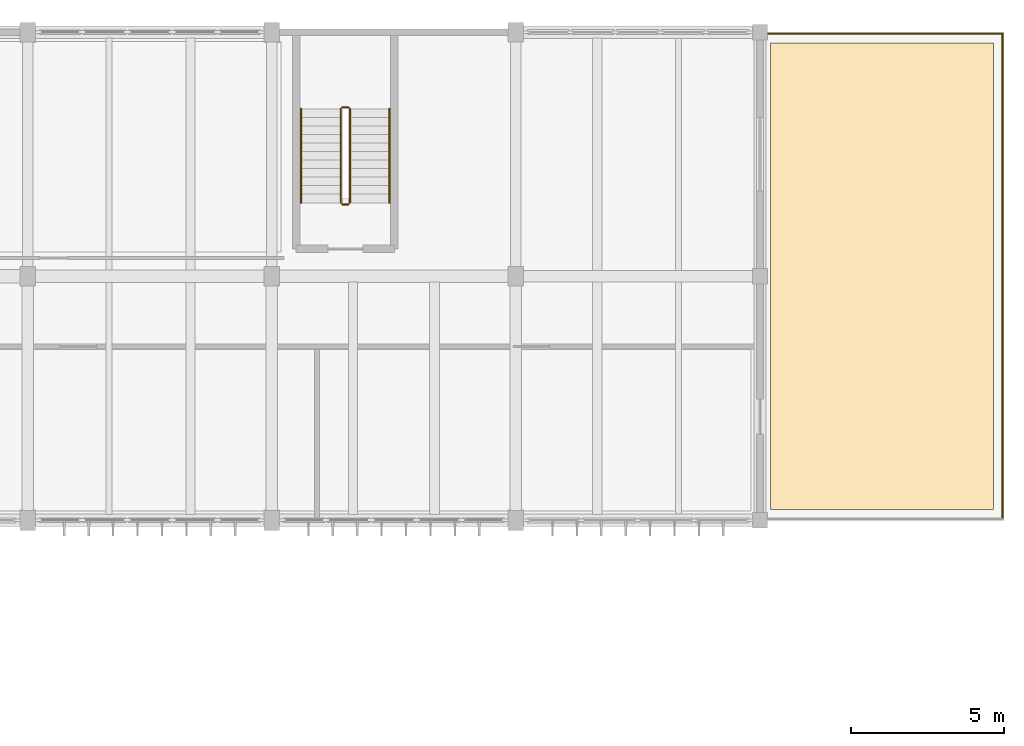
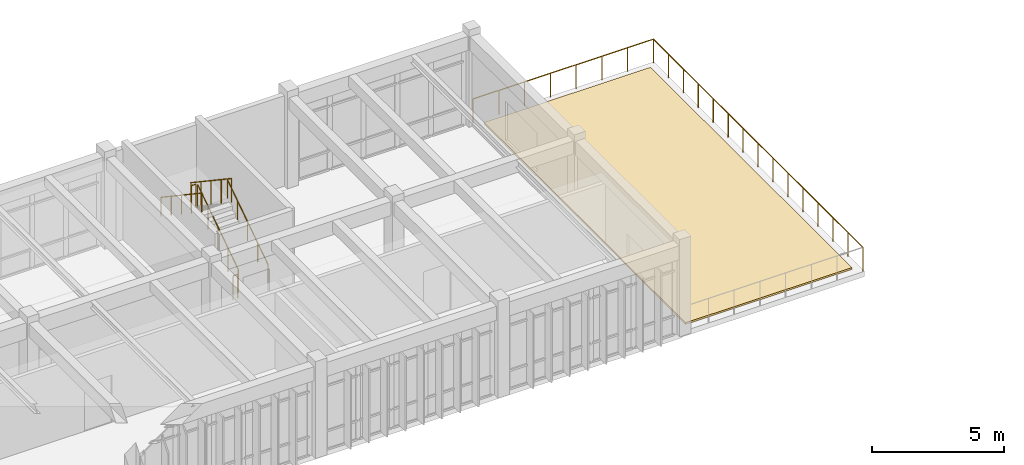
# One storey, part 72 of 72: 8 railings, 1 covering.
"""IFC4 building model written with IfcOpenShell, lengths in metres."""

from ifc_helpers import new_model, si_unit, direction, frame, origin, origin_2d, place, context, subcontext, project, spatial, polyline, circle, outline, extrude, material, layer, layer_set, type_object, element, save


model = new_model("IFC4")

# Units and contexts
model_context = context("Model", 3, precision=1e-05, world=origin(), true_north=direction((0.0, 1.0)))
body_context = subcontext(model_context, "Body", "Model", "MODEL_VIEW")
ifc_project = project(units=[si_unit("LENGTHUNIT", "METRE"), si_unit("AREAUNIT", "SQUARE_METRE"), si_unit("VOLUMEUNIT", "CUBIC_METRE"), si_unit("PLANEANGLEUNIT", "RADIAN"), si_unit("MASSUNIT", "GRAM", prefix="KILO")], contexts=[model_context])

# Site, building, storey
site_placement = place(None, origin())
site = spatial("IfcSite", under=ifc_project, at=site_placement, CompositionType="ELEMENT")
building_placement = place(site_placement, origin())
building = spatial("IfcBuilding", under=site, at=building_placement, Name="Tlaxcora Railside Police Headquarters", CompositionType="ELEMENT")
storey_placement = place(building_placement, frame((0.0, 0.0, 13.5)))
storey = spatial("IfcBuildingStorey", under=building, at=storey_placement, Name="L03", CompositionType="ELEMENT", Elevation=13.5)

# Covering
ifc_material_1 = material(Name="Modified EPDM waterproofing and volcanic-ash protection membrane")
ifc_layer = layer(ifc_material_1, 0.080078125, Name="Modified EPDM waterproofing and volcanic-ash protection membrane")
ifc_layer_set = layer_set([ifc_layer], Name="Modified EPDM waterproofing and volcanic-ash protection membrane")
covering_type = type_object("IfcCoveringType", Name="Planted Roof Garden Waterproofing RF-01", PredefinedType="ROOFING", material=ifc_layer_set)
covering_placement = place(storey_placement, origin())
element("IfcCovering", 1, at=covering_placement, inside=storey, type_object=covering_type, Name="TERR-V6-L03-E planted waterproofing layer", PredefinedType="ROOFING", context=body_context, shape_type="SweptSolid", body=[
    extrude(outline(polyline([(158.449951171875, 77.14990234375), (158.449951171875, 92.449951171875), (151.14990234375, 92.449951171875), (151.14990234375, 77.14990234375), (158.449951171875, 77.14990234375)])), origin(), (0.0, 0.0, 1.0), 0.080078125),
])

# Railings
ifc_material_2 = material(Name="Steel ASTM A992 Grade 50", Category="steel")
railing_type_1 = type_object("IfcRailingType", Name="Stair Well Guard Balustrade GR-02", PredefinedType="BALUSTRADE", material=ifc_material_2)
railing_1_placement = place(storey_placement, frame((137.360107421875, 87.2099609375, 0.1875)))
element("IfcRailing", 2, at=railing_1_placement, inside=storey, type_object=railing_type_1, Name="L03 ST8 stair guard 1", PredefinedType="BALUSTRADE", context=body_context, shape_type="SweptSolid", body=[
    extrude(circle(Radius=0.02392578125, at=origin_2d()), frame((0.0, 0.0, 1.09619140625), z_axis=(0.0, 0.830913701846, 0.55640131208), x_axis=(-1.0, 0.0, 0.0)), (0.0, 0.0, 1.0), 3.706787109375),
    extrude(circle(Radius=0.02099609375, at=origin_2d()), origin(), (0.0, 0.0, 1.0), 1.072021484375),
    extrude(circle(Radius=0.02099609375, at=origin_2d()), frame((0.0, 0.77001953125, 0.515625)), (0.0, 0.0, 1.0), 1.072021484375),
    extrude(circle(Radius=0.02099609375, at=origin_2d()), frame((0.0, 1.5400390625, 1.03125)), (0.0, 0.0, 1.0), 1.072021484375),
    extrude(circle(Radius=0.02099609375, at=origin_2d()), frame((0.0, 2.31005859375, 1.546875)), (0.0, 0.0, 1.0), 1.072021484375),
    extrude(circle(Radius=0.02099609375, at=origin_2d()), frame((0.0, 3.080078125, 2.0625)), (0.0, 0.0, 1.0), 1.072021484375),
])
railing_2_placement = place(storey_placement, frame((137.31005859375, 90.340087890625, 2.25)))
element("IfcRailing", 3, at=railing_2_placement, inside=storey, type_object=railing_type_1, Name="L03 ST8 stair guard 2", PredefinedType="BALUSTRADE", context=body_context, shape_type="SweptSolid", body=[
    extrude(circle(Radius=0.02392578125, at=origin_2d()), frame((0.0, 0.0, 1.09619140625), z_axis=(-1.0, 0.0, 0.0), x_axis=(0.0, -1.0, 0.0)), (0.0, 0.0, 1.0), 0.199951171875),
    extrude(circle(Radius=0.02099609375, at=origin_2d()), origin(), (0.0, 0.0, 1.0), 1.072021484375),
    extrude(circle(Radius=0.02099609375, at=origin_2d()), frame((-0.199951171875, 0.0, 0.0)), (0.0, 0.0, 1.0), 1.072021484375),
])
railing_3_placement = place(storey_placement, frame((137.06005859375, 90.2900390625, 2.4375)))
element("IfcRailing", 4, at=railing_3_placement, inside=storey, type_object=railing_type_1, Name="L03 ST8 stair guard 3", PredefinedType="BALUSTRADE", context=body_context, shape_type="SweptSolid", body=[
    extrude(circle(Radius=0.02392578125, at=origin_2d()), frame((0.0, 0.0, 1.09619140625), z_axis=(0.0, -0.830913701846, 0.55640131208), x_axis=(1.0, 0.0, 0.0)), (0.0, 0.0, 1.0), 3.706787109375),
    extrude(circle(Radius=0.02099609375, at=origin_2d()), origin(), (0.0, 0.0, 1.0), 1.072021484375),
    extrude(circle(Radius=0.02099609375, at=origin_2d()), frame((0.0, -0.77001953125, 0.515625)), (0.0, 0.0, 1.0), 1.072021484375),
    extrude(circle(Radius=0.02099609375, at=origin_2d()), frame((0.0, -1.5400390625, 1.03125)), (0.0, 0.0, 1.0), 1.072021484375),
    extrude(circle(Radius=0.02099609375, at=origin_2d()), frame((0.0, -2.31005859375, 1.546875)), (0.0, 0.0, 1.0), 1.072021484375),
    extrude(circle(Radius=0.02099609375, at=origin_2d()), frame((0.0, -3.080078125, 2.0625)), (0.0, 0.0, 1.0), 1.072021484375),
])
railing_4_placement = place(storey_placement, frame((137.31005859375, 87.159912109375, 0.0)))
element("IfcRailing", 5, at=railing_4_placement, inside=storey, type_object=railing_type_1, Name="L03 ST8 stair guard 4", PredefinedType="BALUSTRADE", context=body_context, shape_type="SweptSolid", body=[
    extrude(circle(Radius=0.02392578125, at=origin_2d()), frame((0.0, 0.0, 1.09619140625), z_axis=(-1.0, 0.0, 0.0), x_axis=(0.0, -1.0, 0.0)), (0.0, 0.0, 1.0), 0.199951171875),
    extrude(circle(Radius=0.02099609375, at=origin_2d()), origin(), (0.0, 0.0, 1.0), 1.072021484375),
    extrude(circle(Radius=0.02099609375, at=origin_2d()), frame((-0.199951171875, 0.0, 0.0)), (0.0, 0.0, 1.0), 1.072021484375),
])
railing_type_2 = type_object("IfcRailingType", Name="Stair and Ramp Handrail HR-01", PredefinedType="HANDRAIL", material=ifc_material_2)
railing_5_placement = place(storey_placement, frame((138.659912109375, 87.2099609375, 0.1875)))
element("IfcRailing", 6, at=railing_5_placement, inside=storey, type_object=railing_type_2, Name="L03 ST8 stair handrail 1", PredefinedType="HANDRAIL", context=body_context, shape_type="SweptSolid", body=[
    extrude(circle(Radius=0.02392578125, at=origin_2d()), frame((0.0, 0.0, 0.8759765625), z_axis=(0.0, 0.830913701846, 0.55640131208), x_axis=(-1.0, 0.0, 0.0)), (0.0, 0.0, 1.0), 3.706787109375),
    extrude(circle(Radius=0.02099609375, at=origin_2d()), origin(), (0.0, 0.0, 1.0), 0.851806640625),
    extrude(circle(Radius=0.02099609375, at=origin_2d()), frame((0.0, 0.77001953125, 0.515625)), (0.0, 0.0, 1.0), 0.851806640625),
    extrude(circle(Radius=0.02099609375, at=origin_2d()), frame((0.0, 1.5400390625, 1.03125)), (0.0, 0.0, 1.0), 0.851806640625),
    extrude(circle(Radius=0.02099609375, at=origin_2d()), frame((0.0, 2.31005859375, 1.546875)), (0.0, 0.0, 1.0), 0.851806640625),
    extrude(circle(Radius=0.02099609375, at=origin_2d()), frame((0.0, 3.080078125, 2.0625)), (0.0, 0.0, 1.0), 0.851806640625),
])
railing_6_placement = place(storey_placement, frame((135.760009765625, 90.2900390625, 2.4375)))
element("IfcRailing", 7, at=railing_6_placement, inside=storey, type_object=railing_type_2, Name="L03 ST8 stair handrail 2", PredefinedType="HANDRAIL", context=body_context, shape_type="SweptSolid", body=[
    extrude(circle(Radius=0.02392578125, at=origin_2d()), frame((0.0, 0.0, 0.8759765625), z_axis=(0.0, -0.830913701846, 0.55640131208), x_axis=(1.0, 0.0, 0.0)), (0.0, 0.0, 1.0), 3.706787109375),
    extrude(circle(Radius=0.02099609375, at=origin_2d()), origin(), (0.0, 0.0, 1.0), 0.851806640625),
    extrude(circle(Radius=0.02099609375, at=origin_2d()), frame((0.0, -0.77001953125, 0.515625)), (0.0, 0.0, 1.0), 0.851806640625),
    extrude(circle(Radius=0.02099609375, at=origin_2d()), frame((0.0, -1.5400390625, 1.03125)), (0.0, 0.0, 1.0), 0.851806640625),
    extrude(circle(Radius=0.02099609375, at=origin_2d()), frame((0.0, -2.31005859375, 1.546875)), (0.0, 0.0, 1.0), 0.851806640625),
    extrude(circle(Radius=0.02099609375, at=origin_2d()), frame((0.0, -3.080078125, 2.0625)), (0.0, 0.0, 1.0), 0.851806640625),
])
railing_type_3 = type_object("IfcRailingType", Name="Terrace Perimeter Guard Balustrade GR-01", PredefinedType="BALUSTRADE", material=ifc_material_2)
railing_7_placement = place(storey_placement, frame((158.75, 76.85009765625, 0.0)))
element("IfcRailing", 8, at=railing_7_placement, inside=storey, type_object=railing_type_3, Name="TERR-V6-L03-E perimeter guard 2", PredefinedType="BALUSTRADE", context=body_context, shape_type="SweptSolid", body=[
    extrude(circle(Radius=0.02392578125, at=origin_2d()), frame((0.0, 0.0, 1.09619140625), z_axis=(0.0, 1.0, 0.0), x_axis=(-1.0, 0.0, 0.0)), (0.0, 0.0, 1.0), 15.89990234375),
    extrude(circle(Radius=0.02099609375, at=origin_2d()), origin(), (0.0, 0.0, 1.0), 1.072021484375),
    extrude(circle(Radius=0.02099609375, at=origin_2d()), frame((0.0, 1.1357421875, 0.0)), (0.0, 0.0, 1.0), 1.072021484375),
    extrude(circle(Radius=0.02099609375, at=origin_2d()), frame((0.0, 2.271484375, 0.0)), (0.0, 0.0, 1.0), 1.072021484375),
    extrude(circle(Radius=0.02099609375, at=origin_2d()), frame((0.0, 3.4072265625, 0.0)), (0.0, 0.0, 1.0), 1.072021484375),
    extrude(circle(Radius=0.02099609375, at=origin_2d()), frame((0.0, 4.542724609375, 0.0)), (0.0, 0.0, 1.0), 1.072021484375),
    extrude(circle(Radius=0.02099609375, at=origin_2d()), frame((0.0, 5.678466796875, 0.0)), (0.0, 0.0, 1.0), 1.072021484375),
    extrude(circle(Radius=0.02099609375, at=origin_2d()), frame((0.0, 6.814208984375, 0.0)), (0.0, 0.0, 1.0), 1.072021484375),
    extrude(circle(Radius=0.02099609375, at=origin_2d()), frame((0.0, 7.949951171875, 0.0)), (0.0, 0.0, 1.0), 1.072021484375),
    extrude(circle(Radius=0.02099609375, at=origin_2d()), frame((0.0, 9.085693359375, 0.0)), (0.0, 0.0, 1.0), 1.072021484375),
    extrude(circle(Radius=0.02099609375, at=origin_2d()), frame((0.0, 10.221435546875, 0.0)), (0.0, 0.0, 1.0), 1.072021484375),
    extrude(circle(Radius=0.02099609375, at=origin_2d()), frame((0.0, 11.357177734375, 0.0)), (0.0, 0.0, 1.0), 1.072021484375),
    extrude(circle(Radius=0.02099609375, at=origin_2d()), frame((0.0, 12.49267578125, 0.0)), (0.0, 0.0, 1.0), 1.072021484375),
    extrude(circle(Radius=0.02099609375, at=origin_2d()), frame((0.0, 13.62841796875, 0.0)), (0.0, 0.0, 1.0), 1.072021484375),
    extrude(circle(Radius=0.02099609375, at=origin_2d()), frame((0.0, 14.76416015625, 0.0)), (0.0, 0.0, 1.0), 1.072021484375),
    extrude(circle(Radius=0.02099609375, at=origin_2d()), frame((0.0, 15.89990234375, 0.0)), (0.0, 0.0, 1.0), 1.072021484375),
])
railing_8_placement = place(storey_placement, frame((158.75, 92.75, 0.0)))
element("IfcRailing", 9, at=railing_8_placement, inside=storey, type_object=railing_type_3, Name="TERR-V6-L03-E perimeter guard 3", PredefinedType="BALUSTRADE", context=body_context, shape_type="SweptSolid", body=[
    extrude(circle(Radius=0.02392578125, at=origin_2d()), frame((0.0, 0.0, 1.09619140625), z_axis=(-1.0, 0.0, 0.0), x_axis=(0.0, -1.0, 0.0)), (0.0, 0.0, 1.0), 7.89990234375),
    extrude(circle(Radius=0.02099609375, at=origin_2d()), origin(), (0.0, 0.0, 1.0), 1.072021484375),
    extrude(circle(Radius=0.02099609375, at=origin_2d()), frame((-1.128662109375, 0.0, 0.0)), (0.0, 0.0, 1.0), 1.072021484375),
    extrude(circle(Radius=0.02099609375, at=origin_2d()), frame((-2.257080078125, 0.0, 0.0)), (0.0, 0.0, 1.0), 1.072021484375),
    extrude(circle(Radius=0.02099609375, at=origin_2d()), frame((-3.3857421875, 0.0, 0.0)), (0.0, 0.0, 1.0), 1.072021484375),
    extrude(circle(Radius=0.02099609375, at=origin_2d()), frame((-4.51416015625, 0.0, 0.0)), (0.0, 0.0, 1.0), 1.072021484375),
    extrude(circle(Radius=0.02099609375, at=origin_2d()), frame((-5.642822265625, 0.0, 0.0)), (0.0, 0.0, 1.0), 1.072021484375),
    extrude(circle(Radius=0.02099609375, at=origin_2d()), frame((-6.771240234375, 0.0, 0.0)), (0.0, 0.0, 1.0), 1.072021484375),
    extrude(circle(Radius=0.02099609375, at=origin_2d()), frame((-7.89990234375, 0.0, 0.0)), (0.0, 0.0, 1.0), 1.072021484375),
])

save(model, "model.ifc")
